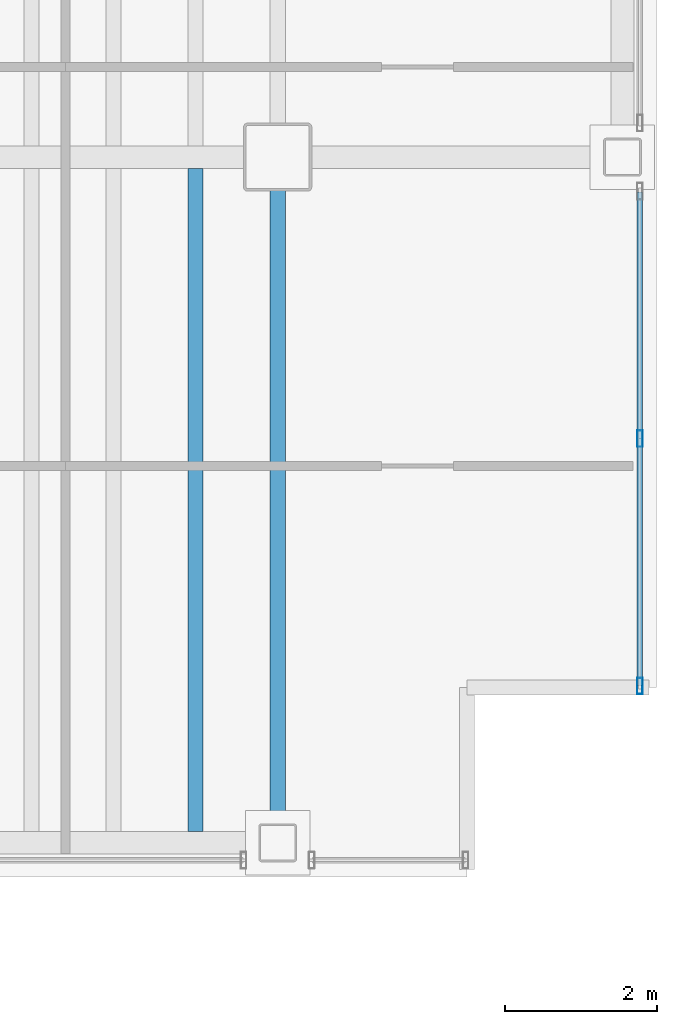
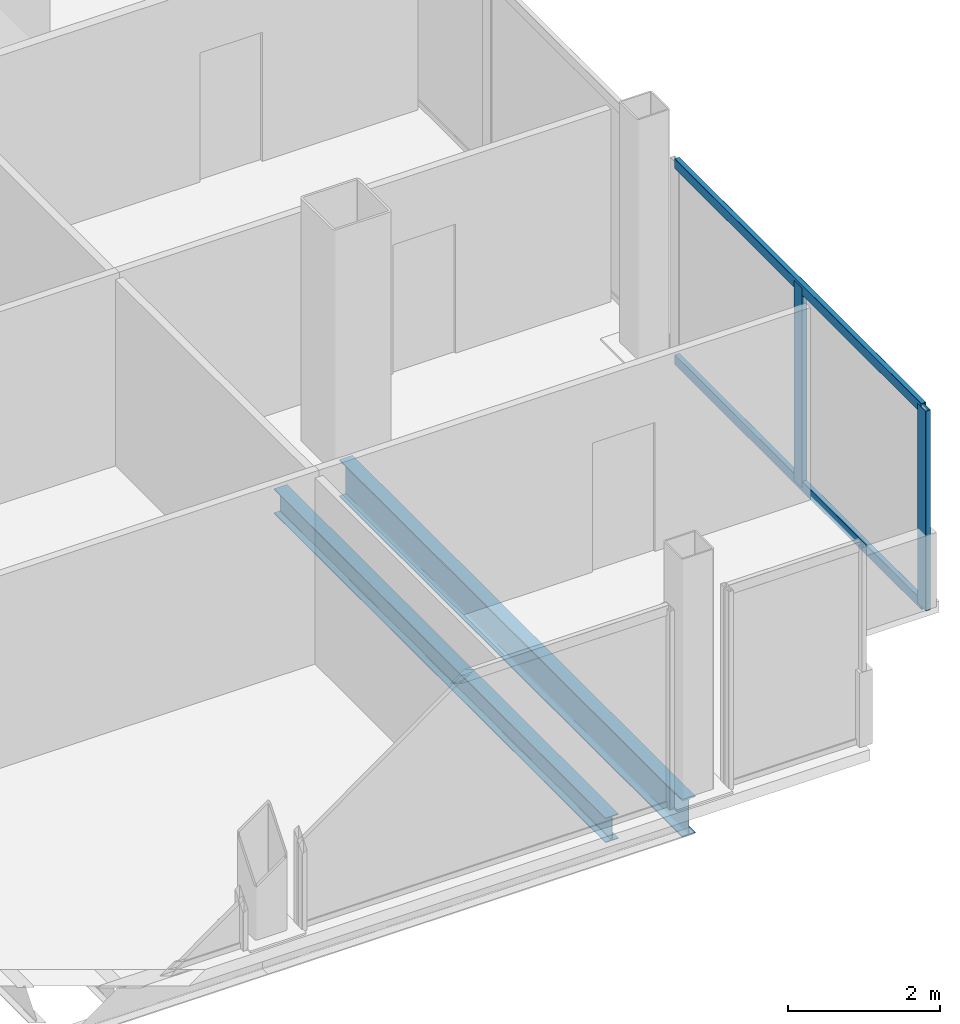
# One storey, part 14 of 22: 4 members, 2 beams, 1 element without a shape of its own.
"""IFC4 building model written with IfcOpenShell, lengths in metres."""

from ifc_helpers import new_model, si_unit, direction, frame, origin, origin_2d, place, context, subcontext, project, spatial, hollow_rectangle, i_section, extrude, material, material_profile, profile_set, type_object, element, aggregate, save


model = new_model("IFC4")

# Units and contexts
model_context = context("Model", 3, precision=1e-05, world=origin(), true_north=direction((0.0, 1.0)))
body_context = subcontext(model_context, "Body", "Model", "MODEL_VIEW")
ifc_project = project(units=[si_unit("LENGTHUNIT", "METRE"), si_unit("AREAUNIT", "SQUARE_METRE"), si_unit("VOLUMEUNIT", "CUBIC_METRE"), si_unit("PLANEANGLEUNIT", "RADIAN"), si_unit("MASSUNIT", "GRAM", prefix="KILO")], contexts=[model_context])

# Site, building, storey
site_placement = place(None, origin())
site = spatial("IfcSite", under=ifc_project, at=site_placement, CompositionType="ELEMENT")
building_placement = place(site_placement, origin())
building = spatial("IfcBuilding", under=site, at=building_placement, Name="Noeulbin Bourse Tower", CompositionType="ELEMENT")
storey_placement = place(building_placement, frame((0.0, 0.0, 130.5)))
storey = spatial("IfcBuildingStorey", under=building, at=storey_placement, Name="L32", CompositionType="ELEMENT", Elevation=130.5)

# Beams
ifc_material_1 = material(Name="Steel S355", Category="steel")
ifc_material_profile_1 = material_profile(ifc_material_1, i_section(OverallWidth=0.199951171875, OverallDepth=0.60009765625, WebThickness=0.010986328125, FlangeThickness=0.01708984375, FilletRadius=0.02197265625, at=origin_2d()), Name="H-600x200x11x17", Category="LoadBearing")
ifc_profile_set_1 = profile_set([ifc_material_profile_1], Name="Steel S355")
beam_type_1 = type_object("IfcBeamType", Name="BM-GRD-600", PredefinedType="USERDEFINED", material=ifc_profile_set_1)
beam_1_placement = place(storey_placement, frame((44.0, 10.949951171875, -0.47998046875), z_axis=(0.0, 1.0, 0.0), x_axis=(-1.0, 0.0, 0.0)))
element("IfcBeam", 1, at=beam_1_placement, inside=storey, type_object=beam_type_1, Name="Tower Primary Girder NS L32-5.1", ObjectType="GIRDER", PredefinedType="USERDEFINED", context=body_context, shape_type="SweptSolid", body=[
    extrude(i_section(OverallWidth=0.199951171875, OverallDepth=0.60009765625, WebThickness=0.010986328125, FlangeThickness=0.01708984375, FilletRadius=0.02197265625, at=origin_2d()), origin(), (0.0, 0.0, 1.0), 9.050048828125),
])
ifc_material_profile_2 = material_profile(ifc_material_1, i_section(OverallWidth=0.199951171875, OverallDepth=0.39990234375, WebThickness=0.008056640625, FlangeThickness=0.012939453125, FilletRadius=0.01611328125, at=origin_2d()), Name="H-400x200x8x13", Category="LoadBearing")
ifc_profile_set_2 = profile_set([ifc_material_profile_2], Name="Steel S355")
beam_type_2 = type_object("IfcBeamType", Name="BM-SEC-400", PredefinedType="BEAM", material=ifc_profile_set_2)
beam_2_placement = place(storey_placement, frame((42.916748046875, 11.10009765625, -0.3798828125), z_axis=(0.0, 1.0, 0.0), x_axis=(-1.0, 0.0, 0.0)))
element("IfcBeam", 2, at=beam_2_placement, inside=storey, type_object=beam_type_2, Name="Tower Composite Joist L32-45", PredefinedType="BEAM", context=body_context, shape_type="SweptSolid", body=[
    extrude(i_section(OverallWidth=0.199951171875, OverallDepth=0.39990234375, WebThickness=0.008056640625, FlangeThickness=0.012939453125, FilletRadius=0.01611328125, at=origin_2d()), origin(), (0.0, 0.0, 1.0), 8.75),
])

# Curtain wall, members
ifc_material_2 = material(Name="Dark Tinted Triple Glazing", Category="glass")
curtain_wall_type = type_object("IfcCurtainWallType", Name="CW-SYS-3", PredefinedType="NOTDEFINED", material=ifc_material_2)
curtain_wall_placement = place(storey_placement, origin())
curtain_wall = element("IfcCurtainWall", 3, at=curtain_wall_placement, inside=storey, type_object=curtain_wall_type, Name="Unitised Curtain Wall CW-L32-E-S1", PredefinedType="NOTDEFINED")
ifc_material_3 = material(Name="Anodised Aluminium 6063-T6", Category="aluminium")
ifc_material_profile_3 = material_profile(ifc_material_3, hollow_rectangle(XDim=0.074951171875, YDim=0.219970703125, WallThickness=0.0048828125, InnerFilletRadius=0.00244140625, OuterFilletRadius=0.0048828125, at=origin_2d()), Name="ALU-MULL-75x220x5", Category="LoadBearing")
ifc_profile_set_3 = profile_set([ifc_material_profile_3], Name="Anodised Aluminium 6063-T6")
member_type_1 = type_object("IfcMemberType", Name="CW-SYS-3-MUL", PredefinedType="MULLION", material=ifc_profile_set_3)
member_1_placement = place(storey_placement, frame((48.780029296875, 13.02001953125, -0.02001953125), z_axis=(0.0, 0.0, 1.0), x_axis=(1.0, 0.0, 0.0)))
member_1 = element("IfcMember", 4, at=member_1_placement, type_object=member_type_1, Name="Curtain Wall Mullion CW-L32-E-S1-M00", PredefinedType="MULLION", context=body_context, shape_type="SweptSolid", body=[
    extrude(hollow_rectangle(XDim=0.074951171875, YDim=0.219970703125, WallThickness=0.0048828125, InnerFilletRadius=0.00244140625, OuterFilletRadius=0.0048828125, at=origin_2d()), origin(), (0.0, 0.0, 1.0), 3.219970703125),
])
member_2_placement = place(storey_placement, frame((48.780029296875, 16.284912109375, -0.02001953125), z_axis=(0.0, 0.0, 1.0), x_axis=(1.0, 0.0, 0.0)))
member_2 = element("IfcMember", 5, at=member_2_placement, type_object=member_type_1, Name="Curtain Wall Mullion CW-L32-E-S1-M01", PredefinedType="MULLION", context=body_context, shape_type="SweptSolid", body=[
    extrude(hollow_rectangle(XDim=0.074951171875, YDim=0.219970703125, WallThickness=0.0048828125, InnerFilletRadius=0.00244140625, OuterFilletRadius=0.0048828125, at=origin_2d()), origin(), (0.0, 0.0, 1.0), 3.219970703125),
])
ifc_material_profile_4 = material_profile(ifc_material_3, hollow_rectangle(XDim=0.074951171875, YDim=0.159912109375, WallThickness=0.0048828125, InnerFilletRadius=0.00244140625, OuterFilletRadius=0.0048828125, at=origin_2d()), Name="ALU-TRAN-75x160x5", Category="LoadBearing")
ifc_profile_set_4 = profile_set([ifc_material_profile_4], Name="Anodised Aluminium 6063-T6")
member_type_2 = type_object("IfcMemberType", Name="CW-SYS-3-TRN", PredefinedType="USERDEFINED", material=ifc_profile_set_4)
member_3_placement = place(storey_placement, frame((48.780029296875, 13.030029296875, 0.010009765625), z_axis=(0.0, 1.0, 0.0), x_axis=(-1.0, 0.0, 0.0)))
member_3 = element("IfcMember", 6, at=member_3_placement, type_object=member_type_2, Name="Curtain Wall Transom CW-L32-E-S1-T00", ObjectType="TRANSOM", PredefinedType="USERDEFINED", context=body_context, shape_type="SweptSolid", body=[
    extrude(hollow_rectangle(XDim=0.074951171875, YDim=0.159912109375, WallThickness=0.0048828125, InnerFilletRadius=0.00244140625, OuterFilletRadius=0.0048828125, at=origin_2d()), origin(), (0.0, 0.0, 1.0), 6.510009765625),
])
member_4_placement = place(storey_placement, frame((48.780029296875, 13.030029296875, 3.169921875), z_axis=(0.0, 1.0, 0.0), x_axis=(-1.0, 0.0, 0.0)))
member_4 = element("IfcMember", 7, at=member_4_placement, type_object=member_type_2, Name="Curtain Wall Transom CW-L32-E-S1-T01", ObjectType="TRANSOM", PredefinedType="USERDEFINED", context=body_context, shape_type="SweptSolid", body=[
    extrude(hollow_rectangle(XDim=0.074951171875, YDim=0.159912109375, WallThickness=0.0048828125, InnerFilletRadius=0.00244140625, OuterFilletRadius=0.0048828125, at=origin_2d()), origin(), (0.0, 0.0, 1.0), 6.510009765625),
])
aggregate(curtain_wall, [member_1, member_2, member_3, member_4])

save(model, "model.ifc")
